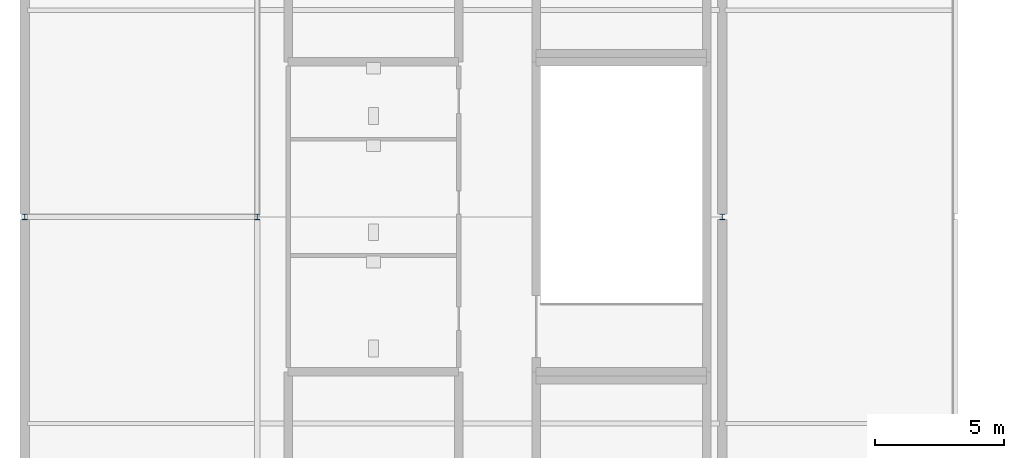
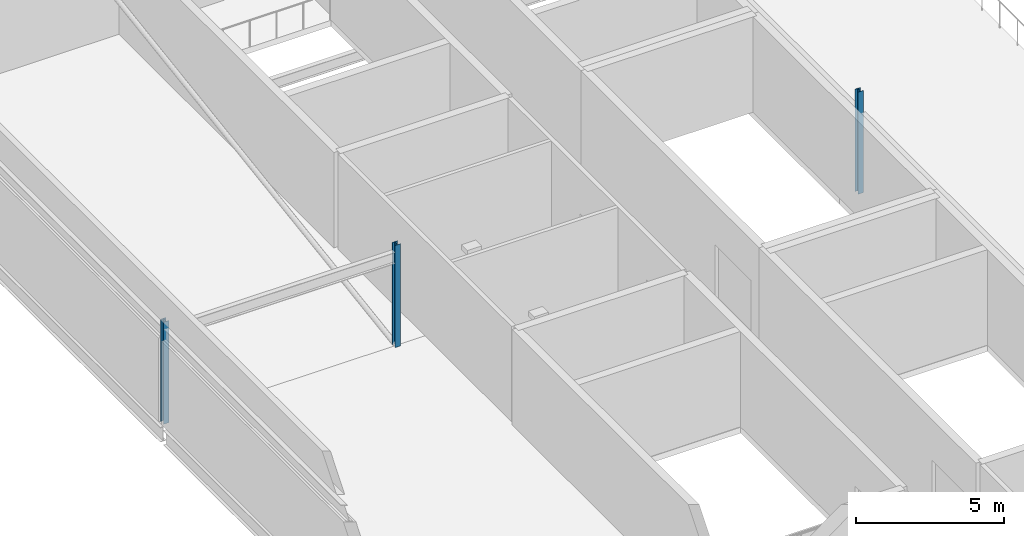
# One storey, part 3 of 23: 3 columns.
"""IFC4 building model written with IfcOpenShell, lengths in metres."""

from ifc_helpers import new_model, si_unit, direction, frame, origin, origin_2d, place, context, subcontext, project, spatial, i_section, extrude, material, material_profile, profile_set, type_object, element, save


model = new_model("IFC4")

# Units and contexts
model_context = context("Model", 3, precision=1e-05, world=origin(), true_north=direction((0.0, 1.0)))
body_context = subcontext(model_context, "Body", "Model", "MODEL_VIEW")
ifc_project = project(units=[si_unit("LENGTHUNIT", "METRE"), si_unit("AREAUNIT", "SQUARE_METRE"), si_unit("VOLUMEUNIT", "CUBIC_METRE"), si_unit("PLANEANGLEUNIT", "RADIAN"), si_unit("MASSUNIT", "GRAM", prefix="KILO")], contexts=[model_context])

# Site, building, storey
site_placement = place(None, origin())
site = spatial("IfcSite", under=ifc_project, at=site_placement, CompositionType="ELEMENT")
building_placement = place(site_placement, origin())
building = spatial("IfcBuilding", under=site, at=building_placement, Name="Kisiwana Market Hall", CompositionType="ELEMENT")
storey_placement = place(building_placement, frame((0.0, 0.0, 65.699951171875)))
storey = spatial("IfcBuildingStorey", under=building, at=storey_placement, Name="L15", CompositionType="ELEMENT", Elevation=65.699951171875)

# Columns
ifc_material = material(Name="Steel S355", Category="steel")
ifc_material_profile = material_profile(ifc_material, i_section(OverallWidth=0.205810546875, OverallDepth=0.209716796875, WebThickness=0.009521484375, FlangeThickness=0.01416015625, FilletRadius=0.01025390625, at=origin_2d()), Name="UC 203x203x60")
ifc_profile_set = profile_set([ifc_material_profile], Name="Steel S355")
column_type = type_object("IfcColumnType", Name="COL-STL-UC060", PredefinedType="COLUMN", material=ifc_profile_set)
for number, where, z_axis, x_axis, name in (
    (1, (0.0, 60.0, 0.0), (0.0, 0.0, 1.0), (1.0, 0.0, 0.0), "Column H/1 (L15) C-1482"),
    (2, (27.0, 60.0, 0.0), (0.0, 0.0, 1.0), (1.0, 0.0, 0.0), "Column H/4 (L15) C-1491"),
    (3, (9.0, 60.0, 0.0), (0.0, 0.0, 1.0), (1.0, 0.0, 0.0), "Column H/2 (L15) C-1478"),
):
    element("IfcColumn", number, at=place(storey_placement, frame(where, z_axis=z_axis, x_axis=x_axis)), inside=storey, type_object=column_type, Name=name, PredefinedType="COLUMN", context=body_context, shape_type="SweptSolid", body=[
        extrude(i_section(OverallWidth=0.205810546875, OverallDepth=0.209716796875, WebThickness=0.009521484375, FlangeThickness=0.01416015625, FilletRadius=0.01025390625, at=origin_2d()), origin(), (0.0, 0.0, 1.0), 4.199951171875),
    ])

save(model, "model.ifc")
